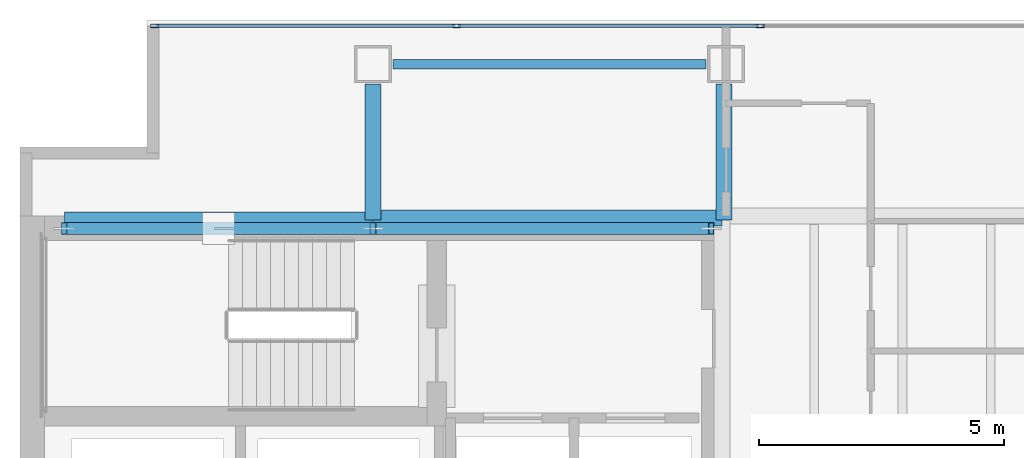
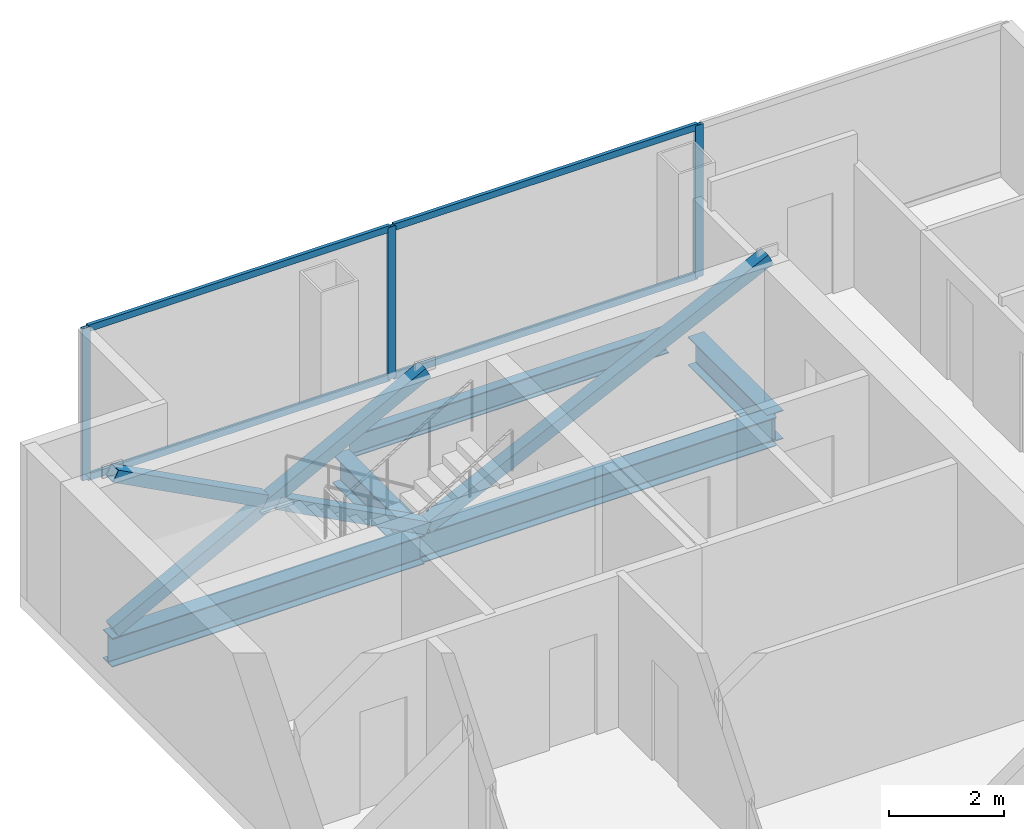
# One storey, part 17 of 23: 11 members, 5 beams, 1 element without a shape of its own.
"""IFC4 building model written with IfcOpenShell, lengths in metres."""

from ifc_helpers import new_model, si_unit, direction, frame, origin, origin_2d, place, context, subcontext, project, spatial, hollow_rectangle, i_section, extrude, material, material_profile, profile_set, type_object, element, aggregate, save


model = new_model("IFC4")

# Units and contexts
model_context = context("Model", 3, precision=1e-05, world=origin(), true_north=direction((0.0, 1.0)))
body_context = subcontext(model_context, "Body", "Model", "MODEL_VIEW")
ifc_project = project(units=[si_unit("LENGTHUNIT", "METRE"), si_unit("AREAUNIT", "SQUARE_METRE"), si_unit("VOLUMEUNIT", "CUBIC_METRE"), si_unit("PLANEANGLEUNIT", "RADIAN"), si_unit("MASSUNIT", "GRAM", prefix="KILO")], contexts=[model_context])

# Site, building, storey
site_placement = place(None, origin())
site = spatial("IfcSite", under=ifc_project, at=site_placement, CompositionType="ELEMENT")
building_placement = place(site_placement, origin())
building = spatial("IfcBuilding", under=site, at=building_placement, Name="Cobrela Telecom Tower", CompositionType="ELEMENT")
storey_placement = place(building_placement, frame((0.0, 0.0, 201.25)))
storey = spatial("IfcBuildingStorey", under=building, at=storey_placement, Name="L51", CompositionType="ELEMENT", Elevation=201.25)

# Beams
ifc_material_1 = material(Name="Steel ASTM A992 Grade 50", Category="steel")
ifc_material_profile_1 = material_profile(ifc_material_1, i_section(OverallWidth=0.324951171875, OverallDepth=0.612060546875, WebThickness=0.0126953125, FlangeThickness=0.01904296875, FilletRadius=0.014892578125, at=origin_2d()), Name="W24X104")
ifc_profile_set_1 = profile_set([ifc_material_profile_1], Name="Steel ASTM A992 Grade 50")
beam_type_1 = type_object("IfcBeamType", Name="BM-GIRD-07", PredefinedType="USERDEFINED", material=ifc_profile_set_1)
beam_1_placement = place(storey_placement, frame((0.905029296875, 35.919921875, -0.56591796875), z_axis=(1.0, 0.0, 0.0), x_axis=(0.0, 1.0, 0.0)))
element("IfcBeam", 1, at=beam_1_placement, inside=storey, type_object=beam_type_1, Name="L51 Primary Girder X20", ObjectType="GIRDER", PredefinedType="USERDEFINED", context=body_context, shape_type="SweptSolid", body=[
    extrude(i_section(OverallWidth=0.324951171875, OverallDepth=0.612060546875, WebThickness=0.0126953125, FlangeThickness=0.01904296875, FilletRadius=0.014892578125, at=origin_2d()), origin(), (0.0, 0.0, 1.0), 6.2900390625),
])
beam_2_placement = place(storey_placement, frame((7.205078125, 35.9599609375, -0.56591796875), z_axis=(1.0, 0.0, 0.0), x_axis=(0.0, 1.0, 0.0)))
element("IfcBeam", 2, at=beam_2_placement, inside=storey, type_object=beam_type_1, Name="L51 Primary Girder X21", ObjectType="GIRDER", PredefinedType="USERDEFINED", context=body_context, shape_type="SweptSolid", body=[
    extrude(i_section(OverallWidth=0.324951171875, OverallDepth=0.612060546875, WebThickness=0.0126953125, FlangeThickness=0.01904296875, FilletRadius=0.014892578125, at=origin_2d()), origin(), (0.0, 0.0, 1.0), 7.10986328125),
])
for number, where, z_axis, x_axis, name in (
    (3, (7.199951171875, 35.925048828125, -0.56591796875), (0.0, 1.0, 0.0), (-1.0, 0.0, 0.0), "L51 Primary Girder Y25"),
    (4, (14.360107421875, 35.925048828125, -0.56591796875), (0.0, 1.0, 0.0), (-1.0, 0.0, 0.0), "L51 Primary Girder Y31"),
):
    element("IfcBeam", number, at=place(storey_placement, frame(where, z_axis=z_axis, x_axis=x_axis)), inside=storey, type_object=beam_type_1, Name=name, ObjectType="GIRDER", PredefinedType="USERDEFINED", context=body_context, shape_type="SweptSolid", body=[
        extrude(i_section(OverallWidth=0.324951171875, OverallDepth=0.612060546875, WebThickness=0.0126953125, FlangeThickness=0.01904296875, FilletRadius=0.014892578125, at=origin_2d()), origin(), (0.0, 0.0, 1.0), 2.77001953125),
    ])
ifc_material_profile_2 = material_profile(ifc_material_1, i_section(OverallWidth=0.193115234375, OverallDepth=0.467041015625, WebThickness=0.011474609375, FlangeThickness=0.01904296875, FilletRadius=0.012939453125, at=origin_2d()), Name="W18X65")
ifc_profile_set_2 = profile_set([ifc_material_profile_2], Name="Steel ASTM A992 Grade 50")
beam_type_2 = type_object("IfcBeamType", Name="BM-SPAND-05", PredefinedType="SPANDREL", material=ifc_profile_set_2)
beam_3_placement = place(storey_placement, frame((7.60498046875, 39.10009765625, -0.493408203125), z_axis=(1.0, 0.0, 0.0), x_axis=(0.0, 1.0, 0.0)))
element("IfcBeam", 5, at=beam_3_placement, inside=storey, type_object=beam_type_2, Name="L51 Perimeter Spandrel X23", PredefinedType="SPANDREL", context=body_context, shape_type="SweptSolid", body=[
    extrude(i_section(OverallWidth=0.193115234375, OverallDepth=0.467041015625, WebThickness=0.011474609375, FlangeThickness=0.01904296875, FilletRadius=0.012939453125, at=origin_2d()), origin(), (0.0, 0.0, 1.0), 6.39013671875),
])

# Curtain wall, members
ifc_material_2 = material(Name="Anodized Bronze Aluminium 6063-T6", Category="aluminium")
curtain_wall_type = type_object("IfcCurtainWallType", Name="CW-SYS-OFF-LO", PredefinedType="USERDEFINED", material=ifc_material_2)
curtain_wall_placement = place(storey_placement, origin())
curtain_wall = element("IfcCurtainWall", 6, at=curtain_wall_placement, inside=storey, type_object=curtain_wall_type, Name="L51 Unitised Bronze Curtain Wall 07", ObjectType="UNITISED CURTAIN WALL", PredefinedType="USERDEFINED")
ifc_material_profile_3 = material_profile(ifc_material_2, hollow_rectangle(XDim=0.070068359375, YDim=0.159912109375, WallThickness=0.00390625, at=origin_2d()), Name="ALU 70x160x4")
ifc_profile_set_3 = profile_set([ifc_material_profile_3], Name="Anodized Bronze Aluminium 6063-T6")
member_type_1 = type_object("IfcMemberType", Name="CW-SYS-OFF-LO-MUL", PredefinedType="MULLION", material=ifc_profile_set_3)
member_1_placement = place(storey_placement, frame((2.7451171875, 39.8798828125, 0.0), z_axis=(0.0, 0.0, 1.0), x_axis=(0.0, 1.0, 0.0)))
member_1 = element("IfcMember", 7, at=member_1_placement, type_object=member_type_1, Name="CW-OFF-LO mullion 1", PredefinedType="MULLION", context=body_context, shape_type="SweptSolid", body=[
    extrude(hollow_rectangle(XDim=0.070068359375, YDim=0.159912109375, WallThickness=0.00390625, at=origin_2d()), origin(), (0.0, 0.0, 1.0), 3.239990234375),
])
member_2_placement = place(storey_placement, frame((8.9033203125, 39.8798828125, 0.0), z_axis=(0.0, 0.0, 1.0), x_axis=(0.0, 1.0, 0.0)))
member_2 = element("IfcMember", 8, at=member_2_placement, type_object=member_type_1, Name="CW-OFF-LO mullion 2", PredefinedType="MULLION", context=body_context, shape_type="SweptSolid", body=[
    extrude(hollow_rectangle(XDim=0.070068359375, YDim=0.159912109375, WallThickness=0.00390625, at=origin_2d()), origin(), (0.0, 0.0, 1.0), 3.239990234375),
])
member_3_placement = place(storey_placement, frame((15.0966796875, 39.8798828125, 0.0), z_axis=(0.0, 0.0, 1.0), x_axis=(0.0, 1.0, 0.0)))
member_3 = element("IfcMember", 9, at=member_3_placement, type_object=member_type_1, Name="CW-OFF-LO mullion 3", PredefinedType="MULLION", context=body_context, shape_type="SweptSolid", body=[
    extrude(hollow_rectangle(XDim=0.070068359375, YDim=0.159912109375, WallThickness=0.00390625, at=origin_2d()), origin(), (0.0, 0.0, 1.0), 3.239990234375),
])
ifc_material_profile_4 = material_profile(ifc_material_2, hollow_rectangle(XDim=0.070068359375, YDim=0.139892578125, WallThickness=0.00390625, at=origin_2d()), Name="ALU 70x140x4")
ifc_profile_set_4 = profile_set([ifc_material_profile_4], Name="Anodized Bronze Aluminium 6063-T6")
member_type_2 = type_object("IfcMemberType", Name="CW-SYS-OFF-LO-TRN", PredefinedType="USERDEFINED", material=ifc_profile_set_4)
member_4_placement = place(storey_placement, frame((2.780029296875, 39.8798828125, 0.034912109375), z_axis=(1.0, 0.0, 0.0), x_axis=(0.0, 1.0, 0.0)))
member_4 = element("IfcMember", 10, at=member_4_placement, type_object=member_type_2, Name="CW-OFF-LO transom 1.1", ObjectType="TRANSOM", PredefinedType="USERDEFINED", context=body_context, shape_type="SweptSolid", body=[
    extrude(hollow_rectangle(XDim=0.070068359375, YDim=0.139892578125, WallThickness=0.00390625, at=origin_2d()), origin(), (0.0, 0.0, 1.0), 6.08837890625),
])
member_5_placement = place(storey_placement, frame((2.780029296875, 39.8798828125, 3.205078125), z_axis=(1.0, 0.0, 0.0), x_axis=(0.0, 1.0, 0.0)))
member_5 = element("IfcMember", 11, at=member_5_placement, type_object=member_type_2, Name="CW-OFF-LO transom 1.2", ObjectType="TRANSOM", PredefinedType="USERDEFINED", context=body_context, shape_type="SweptSolid", body=[
    extrude(hollow_rectangle(XDim=0.070068359375, YDim=0.139892578125, WallThickness=0.00390625, at=origin_2d()), origin(), (0.0, 0.0, 1.0), 6.08837890625),
])
member_6_placement = place(storey_placement, frame((8.938232421875, 39.8798828125, 0.034912109375), z_axis=(1.0, 0.0, 0.0), x_axis=(0.0, 1.0, 0.0)))
member_6 = element("IfcMember", 12, at=member_6_placement, type_object=member_type_2, Name="CW-OFF-LO transom 2.1", ObjectType="TRANSOM", PredefinedType="USERDEFINED", context=body_context, shape_type="SweptSolid", body=[
    extrude(hollow_rectangle(XDim=0.070068359375, YDim=0.139892578125, WallThickness=0.00390625, at=origin_2d()), origin(), (0.0, 0.0, 1.0), 6.12353515625),
])
member_7_placement = place(storey_placement, frame((8.938232421875, 39.8798828125, 3.205078125), z_axis=(1.0, 0.0, 0.0), x_axis=(0.0, 1.0, 0.0)))
member_7 = element("IfcMember", 13, at=member_7_placement, type_object=member_type_2, Name="CW-OFF-LO transom 2.2", ObjectType="TRANSOM", PredefinedType="USERDEFINED", context=body_context, shape_type="SweptSolid", body=[
    extrude(hollow_rectangle(XDim=0.070068359375, YDim=0.139892578125, WallThickness=0.00390625, at=origin_2d()), origin(), (0.0, 0.0, 1.0), 6.12353515625),
])
aggregate(curtain_wall, [member_1, member_2, member_3, member_4, member_5, member_6, member_7])

# Members
ifc_material_3 = material(Name="Steel ASTM A572 Grade 50", Category="steel")
ifc_material_profile_5 = material_profile(ifc_material_3, hollow_rectangle(XDim=0.25, YDim=0.25, WallThickness=0.013916015625, at=origin_2d()), Name="HSS 250x250x14")
ifc_profile_set_5 = profile_set([ifc_material_profile_5], Name="Steel ASTM A572 Grade 50")
member_type_3 = type_object("IfcMemberType", Name="MBR-EXO-04", PredefinedType="BRACE", material=ifc_profile_set_5)
member_8_placement = place(storey_placement, frame((0.89990234375, 35.75, -0.0400390625), z_axis=(0.884671945606, 0.0, 0.466214058837), x_axis=(0.0, 1.0, 0.0)))
element("IfcMember", 14, at=member_8_placement, inside=storey, type_object=member_type_3, Name="L51 Core Flange Steel X-Brace Continuous A", PredefinedType="BRACE", context=body_context, shape_type="SweptSolid", body=[
    extrude(hollow_rectangle(XDim=0.25, YDim=0.25, WallThickness=0.013916015625, at=origin_2d()), origin(), (0.0, 0.0, 1.0), 7.121337890625),
])
for number, where, z_axis, x_axis, name in (
    (15, (7.199951171875, 35.75, -0.0400390625), (-0.884673479945, 0.0, 0.466211147317), (0.0, -1.0, 0.0), "L51 Core Flange Steel X-Brace Split B1"),
    (16, (3.926025390625, 35.75, 1.685302734375), (-0.884673479945, 0.0, 0.466211147317), (0.0, -1.0, 0.0), "L51 Core Flange Steel X-Brace Split B2"),
):
    element("IfcMember", number, at=place(storey_placement, frame(where, z_axis=z_axis, x_axis=x_axis)), inside=storey, type_object=member_type_3, Name=name, PredefinedType="BRACE", context=body_context, shape_type="SweptSolid", body=[
        extrude(hollow_rectangle(XDim=0.25, YDim=0.25, WallThickness=0.013916015625, at=origin_2d()), origin(), (0.0, 0.0, 1.0), 3.420654296875),
    ])
member_9_placement = place(storey_placement, frame((7.199951171875, 35.75, -0.0400390625), z_axis=(0.901115182893, 0.0, 0.43357978177), x_axis=(0.0, 1.0, 0.0)))
element("IfcMember", 17, at=member_9_placement, inside=storey, type_object=member_type_3, Name="L51 Core Flange Steel Brace N2", PredefinedType="BRACE", context=body_context, shape_type="SweptSolid", body=[
    extrude(hollow_rectangle(XDim=0.25, YDim=0.25, WallThickness=0.013916015625, at=origin_2d()), origin(), (0.0, 0.0, 1.0), 7.6572265625),
])

save(model, "model.ifc")
